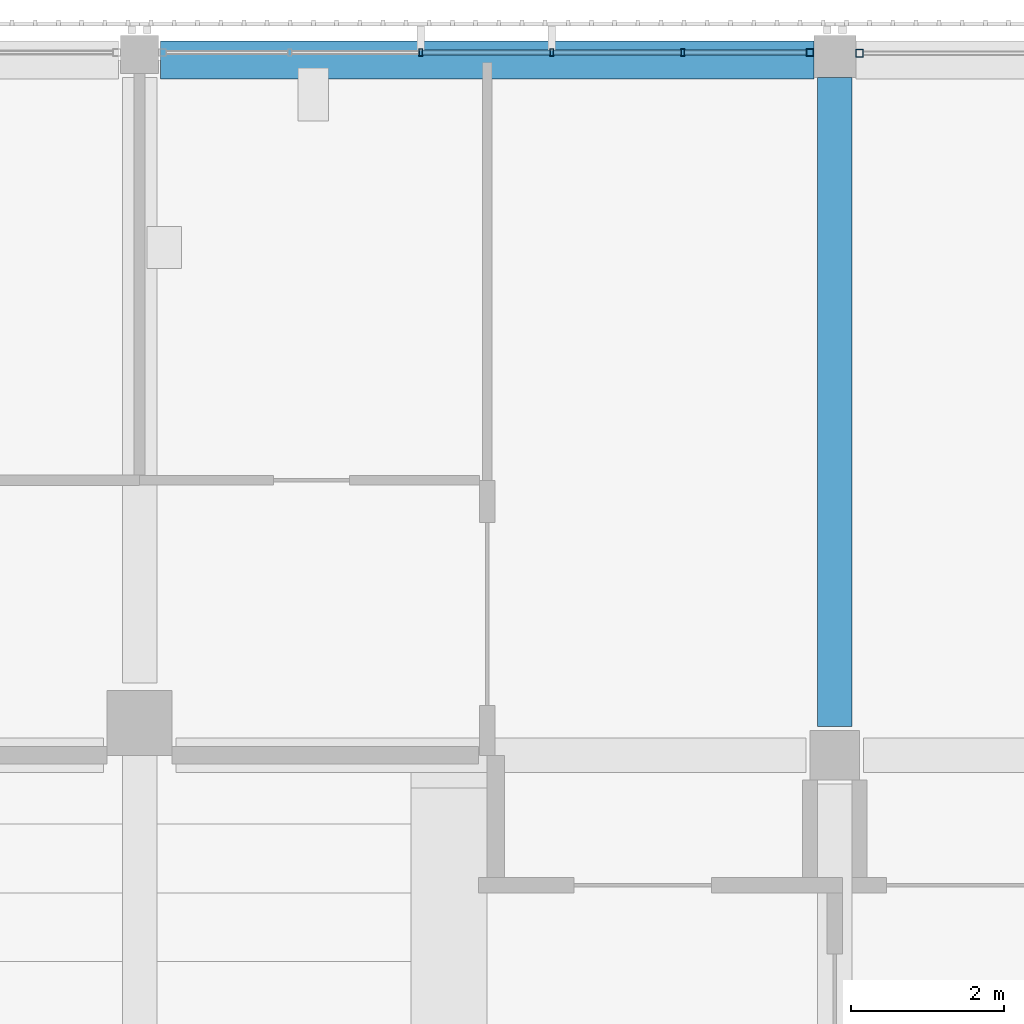
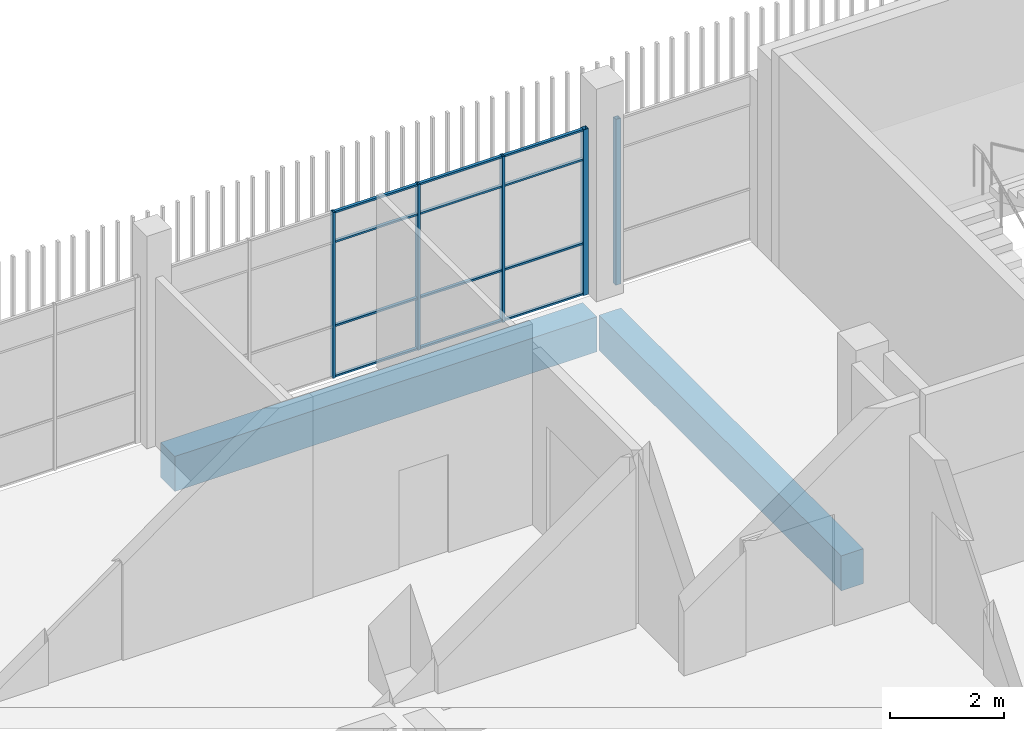
# One storey, part 51 of 139: 17 members, 2 beams, 2 elements without a shape of their own.
"""IFC4 building model written with IfcOpenShell, lengths in metres."""

import ifcopenshell
import ifcopenshell.guid

model = None  # the IFC model being written
_history = None  # IfcOwnerHistory: only IFC2X3 demands one
_inside = {}  # id of a spatial element -> (the spatial element, [elements in it])
_under = {}  # id of a project, library or spatial element -> (it, [spatial elements below it])
_declared = {}  # id of a project -> (the project, [libraries it declares])
_typed = {}  # id of a type object -> (the type object, [elements of that type])
_made_of = {}  # id of a material, layer set ... -> (it, [elements and type objects made of it])


def new_model(schema):
    """Start an empty IFC model of exactly this schema.

    Asked for "IFC4X3", IfcOpenShell would pick the latest addendum, in which some entities
    have other attributes; the version numbers below select the first issue.
    IFC2X3 requires an IfcOwnerHistory on every rooted entity: one is made here for all.
    """
    global model, _history
    if schema == "IFC4X3":
        model = ifcopenshell.file(schema_version=(4, 3, 0, 0))
    else:
        model = ifcopenshell.file(schema=schema)
    _inside.clear()
    _under.clear()
    _declared.clear()
    _typed.clear()
    _made_of.clear()
    _history = None
    if model.schema == "IFC2X3":
        org = make("IfcOrganization", Name="unknown")
        user = make(
            "IfcPersonAndOrganization",
            ThePerson=make("IfcPerson", FamilyName="unknown"),
            TheOrganization=org,
        )
        app = make(
            "IfcApplication",
            ApplicationDeveloper=org,
            Version="unknown",
            ApplicationFullName="unknown",
            ApplicationIdentifier="unknown",
        )
        _history = make(
            "IfcOwnerHistory",
            OwningUser=user,
            OwningApplication=app,
            ChangeAction="ADDED",
            CreationDate=0,
        )
    return model


def make(cls, **values):
    """One entity of the class cls with the attributes given. An attribute that is None is left unset."""
    return model.create_entity(
        cls, **{name: value for name, value in values.items() if value is not None}
    )


def rooted(cls, **values):
    """An entity with a GlobalId (a new one), such as an element, a storey or a relation."""
    return make(cls, GlobalId=ifcopenshell.guid.new(), OwnerHistory=_history, **values)


def si_unit(unit_type, name, prefix=None):
    """IfcSIUnit, for example si_unit("LENGTHUNIT", "METRE", prefix="MILLI")."""
    return make("IfcSIUnit", UnitType=unit_type, Prefix=prefix, Name=name)


def assignment(units):
    """IfcUnitAssignment: the units of a project."""
    return None if units is None else make("IfcUnitAssignment", Units=units)


def point(xyz):
    """IfcCartesianPoint."""
    return None if xyz is None else make("IfcCartesianPoint", Coordinates=xyz)


def direction(xyz):
    """IfcDirection."""
    return None if xyz is None else make("IfcDirection", DirectionRatios=xyz)


def frame(location, z_axis=None, x_axis=None):
    """IfcAxis2Placement3D, a coordinate frame: its origin and axes. An axis left out is left unset."""
    return make(
        "IfcAxis2Placement3D",
        Location=point(location),
        Axis=direction(z_axis),
        RefDirection=direction(x_axis),
    )


def frame_2d(location, x_axis=None):
    """IfcAxis2Placement2D, a coordinate frame in the plane: its origin and x axis."""
    return make(
        "IfcAxis2Placement2D", Location=point(location), RefDirection=direction(x_axis)
    )


def origin():
    """The frame at (0, 0, 0) with its axes left unset."""
    return frame((0.0, 0.0, 0.0))


def origin_2d():
    """The frame at (0, 0) in the plane with its x axis left unset."""
    return frame_2d((0.0, 0.0))


def place(relative_to, where):
    """IfcLocalPlacement: puts the frame where relative to a parent placement (None: the world)."""
    return make(
        "IfcLocalPlacement", PlacementRelTo=relative_to, RelativePlacement=where
    )


def context(
    kind, dimensions, precision=None, world=None, true_north=None, identifier=None
):
    """IfcGeometricRepresentationContext, for example the 3D "Model" context."""
    return make(
        "IfcGeometricRepresentationContext",
        ContextIdentifier=identifier,
        ContextType=kind,
        CoordinateSpaceDimension=dimensions,
        Precision=precision,
        WorldCoordinateSystem=world,
        TrueNorth=true_north,
    )


def subcontext(parent, identifier, kind, view, scale=None):
    """IfcGeometricRepresentationSubContext, for example "Body" below "Model"."""
    return make(
        "IfcGeometricRepresentationSubContext",
        ContextIdentifier=identifier,
        ContextType=kind,
        ParentContext=parent,
        TargetScale=scale,
        TargetView=view,
    )


def project(units=None, contexts=None):
    """IfcProject with its units and contexts."""
    return rooted(
        "IfcProject",
        Name="project",
        RepresentationContexts=contexts,
        UnitsInContext=assignment(units),
    )


def spatial(cls, under=None, at=None, **own):
    """A site, building, storey or space (cls), placed at a placement, below another one or the project."""
    s = rooted(cls, ObjectPlacement=at, **own)
    if under is not None:
        _under.setdefault(under.id(), (under, []))[1].append(s)
    return s


def profile(cls, at=None, kind="AREA", **sizes):
    """A parametric profile (cls). Its sizes go by their IFC names, for example OverallWidth=200.0."""
    return make(cls, ProfileType=kind, Position=at, **sizes)


def rectangle(**sizes):
    """IfcRectangleProfileDef."""
    return profile("IfcRectangleProfileDef", **sizes)


def hollow_rectangle(**sizes):
    """IfcRectangleHollowProfileDef."""
    return profile("IfcRectangleHollowProfileDef", **sizes)


def extrude(swept, where, along, depth):
    """IfcExtrudedAreaSolid: the profile swept, set in the frame where, extruded along a direction by depth."""
    return make(
        "IfcExtrudedAreaSolid",
        SweptArea=swept,
        Position=where,
        ExtrudedDirection=direction(along),
        Depth=depth,
    )


def shape(context_of_items, identifier, shape_type, items):
    """IfcShapeRepresentation: the items that make up one representation, for example the "Body"."""
    return make(
        "IfcShapeRepresentation",
        ContextOfItems=context_of_items,
        RepresentationIdentifier=identifier,
        RepresentationType=shape_type,
        Items=items,
    )


def material(Name=None, Category=None):
    """IfcMaterial."""
    return make("IfcMaterial", Name=Name, Category=Category)


def layer(
    of_material, thickness, ventilated=None, Name=None, Category=None, Priority=None
):
    """IfcMaterialLayer: one layer of a wall or slab, of a material (None: an air gap)."""
    return make(
        "IfcMaterialLayer",
        Material=of_material,
        LayerThickness=thickness,
        IsVentilated=ventilated,
        Name=Name,
        Category=Category,
        Priority=Priority,
    )


def layer_set(layers, Name=None):
    """IfcMaterialLayerSet."""
    return make("IfcMaterialLayerSet", MaterialLayers=layers, LayerSetName=Name)


def material_profile(
    of_material, cross_section, Name=None, Category=None, Priority=None
):
    """IfcMaterialProfile: a cross section and its material."""
    return make(
        "IfcMaterialProfile",
        Name=Name,
        Material=of_material,
        Profile=cross_section,
        Priority=Priority,
        Category=Category,
    )


def profile_set(profiles, Name=None, composite=None):
    """IfcMaterialProfileSet."""
    return make(
        "IfcMaterialProfileSet",
        Name=Name,
        MaterialProfiles=profiles,
        CompositeProfile=composite,
    )


def made_of(thing, what):
    """Note that an element or type object is made of a material, layer set ...; save() writes the relation."""
    if what is not None:
        _made_of.setdefault(what.id(), (what, []))[1].append(thing)
    return thing


def type_object(cls, material=None, **own):
    """A type object (cls), such as IfcWallType, which elements share."""
    return made_of(rooted(cls, **own), material)


def element(
    cls,
    number,
    at=None,
    inside=None,
    cuts=None,
    type_object=None,
    material=None,
    context=None,
    identifier="Body",
    shape_type=None,
    held_by="IfcProductDefinitionShape",
    body=None,
    shapes=None,
    **own,
):
    """One element of the class cls, such as IfcWall. Its Tag is "e" and its number.

    at: its placement. inside: the storey or other place that contains it. cuts: it is an
    opening in that element (IfcRelVoidsElement). A single representation is given by context,
    identifier, shape_type and body (its items); several are given by shapes. held_by: the class
    of the entity that holds the representations. save() writes the other relations.
    """
    e = rooted(cls, Tag="e%d" % number, ObjectPlacement=at, **own)
    if body is not None:
        shapes = [shape(context, identifier, shape_type, body)]
    if shapes is not None:
        e.Representation = make(held_by, Representations=shapes)
    if inside is not None:
        _inside.setdefault(inside.id(), (inside, []))[1].append(e)
    if cuts is not None:
        rooted(
            "IfcRelVoidsElement", RelatingBuildingElement=cuts, RelatedOpeningElement=e
        )
    if type_object is not None:
        _typed.setdefault(type_object.id(), (type_object, []))[1].append(e)
    return made_of(e, material)


def aggregate(whole, parts):
    """IfcRelAggregates: a whole, such as a stair, and the parts it consists of."""
    return rooted("IfcRelAggregates", RelatingObject=whole, RelatedObjects=parts)


def save(model, path):
    """Write the relations noted so far, then the file.

    IfcRelAggregates (storeys below a building ...), IfcRelContainedInSpatialStructure (elements
    in a storey), IfcRelDefinesByType, IfcRelAssociatesMaterial and IfcRelDeclares: one each for
    every whole, place, type object, material and project.
    """
    for whole, parts in _under.values():
        aggregate(whole, parts)
    for where, things in _inside.values():
        rooted(
            "IfcRelContainedInSpatialStructure",
            RelatedElements=things,
            RelatingStructure=where,
        )
    for kind, things in _typed.values():
        rooted("IfcRelDefinesByType", RelatedObjects=things, RelatingType=kind)
    for what, things in _made_of.values():
        rooted("IfcRelAssociatesMaterial", RelatedObjects=things, RelatingMaterial=what)
    for by, libraries in _declared.values():
        rooted("IfcRelDeclares", RelatingContext=by, RelatedDefinitions=libraries)
    model.write(path)


model = new_model("IFC4")

# Units and contexts
model_context = context("Model", 3, precision=1e-05, world=origin(), true_north=direction((0.0, 1.0)))
body_context = subcontext(model_context, "Body", "Model", "MODEL_VIEW")
ifc_project = project(units=[si_unit("LENGTHUNIT", "METRE"), si_unit("AREAUNIT", "SQUARE_METRE"), si_unit("VOLUMEUNIT", "CUBIC_METRE"), si_unit("PLANEANGLEUNIT", "RADIAN"), si_unit("MASSUNIT", "GRAM", prefix="KILO")], contexts=[model_context])

# Site, building, storey
site_placement = place(None, origin())
site = spatial("IfcSite", under=ifc_project, at=site_placement, CompositionType="ELEMENT")
building_placement = place(site_placement, origin())
building = spatial("IfcBuilding", under=site, at=building_placement, Name="Shirokan Park Arena", CompositionType="ELEMENT")
storey_placement = place(building_placement, frame((0.0, 0.0, 15.469970703125)))
storey = spatial("IfcBuildingStorey", under=building, at=storey_placement, Name="L03", CompositionType="ELEMENT", Elevation=15.469970703125)

# Curtain wall, member
ifc_material_1 = material(Name="Steel and glass curtain wall", Category="steel")
ifc_layer_1 = layer(ifc_material_1, 0.1201171875)
ifc_layer_set_1 = layer_set([ifc_layer_1], Name="Steel and glass curtain wall 120 mm")
curtain_wall_type_1 = type_object("IfcCurtainWallType", Name="Curtain wall corner block side bay 120", PredefinedType="NOTDEFINED", material=ifc_layer_set_1)
curtain_wall_1_placement = place(storey_placement, origin())
curtain_wall_1 = element("IfcCurtainWall", 1, at=curtain_wall_1_placement, inside=storey, type_object=curtain_wall_type_1, Name="Curtain wall north bay 4 L03", PredefinedType="NOTDEFINED")
ifc_material_2 = material(Name="Steel S355", Category="steel")
ifc_material_profile_1 = material_profile(ifc_material_2, hollow_rectangle(XDim=0.10009765625, YDim=0.10009765625, WallThickness=0.006103515625, at=origin_2d()), Name="RHS 100x100x6")
ifc_profile_set_1 = profile_set([ifc_material_profile_1], Name="Steel S355")
member_type_1 = type_object("IfcMemberType", Name="Mullion RHS 100x100x6", PredefinedType="MULLION", material=ifc_profile_set_1)
member_1_placement = place(storey_placement, frame((109.52490234375, 109.2900390625, 0.0), z_axis=(0.0, 0.0, 1.0), x_axis=(0.0, -1.0, 0.0)))
member_1 = element("IfcMember", 2, at=member_1_placement, type_object=member_type_1, Name="CW3 mullion 2", PredefinedType="MULLION", context=body_context, shape_type="SweptSolid", body=[
    extrude(hollow_rectangle(XDim=0.10009765625, YDim=0.10009765625, WallThickness=0.006103515625, at=origin_2d()), origin(), (0.0, 0.0, 1.0), 3.550048828125),
])
aggregate(curtain_wall_1, [member_1])

# Curtain wall, members
ifc_layer_2 = layer(ifc_material_1, 0.10009765625)
ifc_layer_set_2 = layer_set([ifc_layer_2], Name="Steel and glass curtain wall 100 mm")
curtain_wall_type_2 = type_object("IfcCurtainWallType", Name="Curtain wall sheltered bay 100", PredefinedType="NOTDEFINED", material=ifc_layer_set_2)
curtain_wall_2_placement = place(storey_placement, origin())
curtain_wall_2 = element("IfcCurtainWall", 3, at=curtain_wall_2_placement, inside=storey, type_object=curtain_wall_type_2, Name="Curtain wall north bay 5 L03", PredefinedType="NOTDEFINED")
member_2_placement = place(storey_placement, frame((108.875, 109.300048828125, 0.0), z_axis=(0.0, 0.0, 1.0), x_axis=(0.0, -1.0, 0.0)))
member_2 = element("IfcMember", 4, at=member_2_placement, type_object=member_type_1, Name="CW2 mullion 1", PredefinedType="MULLION", context=body_context, shape_type="SweptSolid", body=[
    extrude(hollow_rectangle(XDim=0.10009765625, YDim=0.10009765625, WallThickness=0.006103515625, at=origin_2d()), origin(), (0.0, 0.0, 1.0), 3.550048828125),
])
ifc_material_profile_2 = material_profile(ifc_material_2, hollow_rectangle(XDim=0.10009765625, YDim=0.050048828125, WallThickness=0.0048828125, at=origin_2d()), Name="RHS 100x50x5")
ifc_profile_set_2 = profile_set([ifc_material_profile_2], Name="Steel S355")
member_type_2 = type_object("IfcMemberType", Name="Mullion RHS 100x50x5", PredefinedType="MULLION", material=ifc_profile_set_2)
member_3_placement = place(storey_placement, frame((107.2099609375, 109.300048828125, 0.0), z_axis=(0.0, 0.0, 1.0), x_axis=(0.0, -1.0, 0.0)))
member_3 = element("IfcMember", 5, at=member_3_placement, type_object=member_type_2, Name="CW2 mullion 2", PredefinedType="MULLION", context=body_context, shape_type="SweptSolid", body=[
    extrude(hollow_rectangle(XDim=0.10009765625, YDim=0.050048828125, WallThickness=0.0048828125, at=origin_2d()), origin(), (0.0, 0.0, 1.0), 3.550048828125),
])
member_4_placement = place(storey_placement, frame((105.4951171875, 109.300048828125, 0.0), z_axis=(0.0, 0.0, 1.0), x_axis=(0.0, -1.0, 0.0)))
member_4 = element("IfcMember", 6, at=member_4_placement, type_object=member_type_2, Name="CW2 mullion 3", PredefinedType="MULLION", context=body_context, shape_type="SweptSolid", body=[
    extrude(hollow_rectangle(XDim=0.10009765625, YDim=0.050048828125, WallThickness=0.0048828125, at=origin_2d()), origin(), (0.0, 0.0, 1.0), 3.550048828125),
])
member_5_placement = place(storey_placement, frame((103.780029296875, 109.300048828125, 0.0), z_axis=(0.0, 0.0, 1.0), x_axis=(0.0, -1.0, 0.0)))
member_5 = element("IfcMember", 7, at=member_5_placement, type_object=member_type_2, Name="CW2 mullion 4", PredefinedType="MULLION", context=body_context, shape_type="SweptSolid", body=[
    extrude(hollow_rectangle(XDim=0.10009765625, YDim=0.050048828125, WallThickness=0.0048828125, at=origin_2d()), origin(), (0.0, 0.0, 1.0), 3.550048828125),
])

# Beams
ifc_material_3 = material(Name="Concrete C35", Category="concrete")
ifc_material_profile_3 = material_profile(ifc_material_3, rectangle(XDim=0.449951171875, YDim=0.75, at=origin_2d()), Name="450x750")
ifc_profile_set_3 = profile_set([ifc_material_profile_3], Name="Concrete C35")
beam_type_1 = type_object("IfcBeamType", Name="RC girder 450x750", PredefinedType="BEAM", material=ifc_profile_set_3)
beam_1_placement = place(storey_placement, frame((109.199951171875, 100.47509765625, -0.675048828125), z_axis=(0.0, 1.0, 0.0), x_axis=(-1.0, 0.0, 0.0)))
element("IfcBeam", 8, at=beam_1_placement, inside=storey, type_object=beam_type_1, Name="Girder 13M-13N L03", PredefinedType="BEAM", context=body_context, shape_type="SweptSolid", body=[
    extrude(rectangle(XDim=0.449951171875, YDim=0.75, at=origin_2d()), origin(), (0.0, 0.0, 1.0), 8.499755859375),
])
ifc_material_profile_4 = material_profile(ifc_material_3, rectangle(XDim=0.5, YDim=0.75, at=origin_2d()), Name="500x750")
ifc_profile_set_4 = profile_set([ifc_material_profile_4], Name="Concrete C35")
beam_type_2 = type_object("IfcBeamType", Name="RC girder 500x750", PredefinedType="BEAM", material=ifc_profile_set_4)
beam_2_placement = place(storey_placement, frame((100.375, 109.199951171875, -0.675048828125), z_axis=(1.0, 0.0, 0.0), x_axis=(0.0, 1.0, 0.0)))
element("IfcBeam", 9, at=beam_2_placement, inside=storey, type_object=beam_type_2, Name="Girder 12N-13N L03", PredefinedType="BEAM", context=body_context, shape_type="SweptSolid", body=[
    extrude(rectangle(XDim=0.5, YDim=0.75, at=origin_2d()), origin(), (0.0, 0.0, 1.0), 8.5498046875),
])

# Member
ifc_material_profile_5 = material_profile(ifc_material_2, hollow_rectangle(XDim=0.06005859375, YDim=0.0400390625, WallThickness=0.00390625, at=origin_2d()), Name="RHS 60x40x4")
ifc_profile_set_5 = profile_set([ifc_material_profile_5], Name="Steel S355")
member_type_3 = type_object("IfcMemberType", Name="Transom RHS 60x40x4", PredefinedType="MULLION", material=ifc_profile_set_5)
member_6_placement = place(storey_placement, frame((108.824951171875, 109.300048828125, 0.02001953125), z_axis=(-1.0, 0.0, 0.0), x_axis=(0.0, -1.0, 0.0)))
member_6 = element("IfcMember", 10, at=member_6_placement, type_object=member_type_3, Name="CW2 transom 1.1", PredefinedType="MULLION", context=body_context, shape_type="SweptSolid", body=[
    extrude(hollow_rectangle(XDim=0.06005859375, YDim=0.0400390625, WallThickness=0.00390625, at=origin_2d()), origin(), (0.0, 0.0, 1.0), 1.58984375),
])

member_7_placement = place(storey_placement, frame((108.824951171875, 109.300048828125, 1.10009765625), z_axis=(-1.0, 0.0, 0.0), x_axis=(0.0, -1.0, 0.0)))
member_7 = element("IfcMember", 11, at=member_7_placement, type_object=member_type_3, Name="CW2 transom 1.2", PredefinedType="MULLION", context=body_context, shape_type="SweptSolid", body=[
    extrude(hollow_rectangle(XDim=0.06005859375, YDim=0.0400390625, WallThickness=0.00390625, at=origin_2d()), origin(), (0.0, 0.0, 1.0), 1.58984375),
])

member_8_placement = place(storey_placement, frame((108.824951171875, 109.300048828125, 2.900146484375), z_axis=(-1.0, 0.0, 0.0), x_axis=(0.0, -1.0, 0.0)))
member_8 = element("IfcMember", 12, at=member_8_placement, type_object=member_type_3, Name="CW2 transom 1.3", PredefinedType="MULLION", context=body_context, shape_type="SweptSolid", body=[
    extrude(hollow_rectangle(XDim=0.06005859375, YDim=0.0400390625, WallThickness=0.00390625, at=origin_2d()), origin(), (0.0, 0.0, 1.0), 1.58984375),
])

member_9_placement = place(storey_placement, frame((108.824951171875, 109.300048828125, 3.530029296875), z_axis=(-1.0, 0.0, 0.0), x_axis=(0.0, -1.0, 0.0)))
member_9 = element("IfcMember", 13, at=member_9_placement, type_object=member_type_3, Name="CW2 transom 1.4", PredefinedType="MULLION", context=body_context, shape_type="SweptSolid", body=[
    extrude(hollow_rectangle(XDim=0.06005859375, YDim=0.0400390625, WallThickness=0.00390625, at=origin_2d()), origin(), (0.0, 0.0, 1.0), 1.58984375),
])

member_10_placement = place(storey_placement, frame((107.18505859375, 109.300048828125, 0.02001953125), z_axis=(-1.0, 0.0, 0.0), x_axis=(0.0, -1.0, 0.0)))
member_10 = element("IfcMember", 14, at=member_10_placement, type_object=member_type_3, Name="CW2 transom 2.1", PredefinedType="MULLION", context=body_context, shape_type="SweptSolid", body=[
    extrude(hollow_rectangle(XDim=0.06005859375, YDim=0.0400390625, WallThickness=0.00390625, at=origin_2d()), origin(), (0.0, 0.0, 1.0), 1.6650390625),
])

member_11_placement = place(storey_placement, frame((107.18505859375, 109.300048828125, 1.10009765625), z_axis=(-1.0, 0.0, 0.0), x_axis=(0.0, -1.0, 0.0)))
member_11 = element("IfcMember", 15, at=member_11_placement, type_object=member_type_3, Name="CW2 transom 2.2", PredefinedType="MULLION", context=body_context, shape_type="SweptSolid", body=[
    extrude(hollow_rectangle(XDim=0.06005859375, YDim=0.0400390625, WallThickness=0.00390625, at=origin_2d()), origin(), (0.0, 0.0, 1.0), 1.6650390625),
])

member_12_placement = place(storey_placement, frame((107.18505859375, 109.300048828125, 2.900146484375), z_axis=(-1.0, 0.0, 0.0), x_axis=(0.0, -1.0, 0.0)))
member_12 = element("IfcMember", 16, at=member_12_placement, type_object=member_type_3, Name="CW2 transom 2.3", PredefinedType="MULLION", context=body_context, shape_type="SweptSolid", body=[
    extrude(hollow_rectangle(XDim=0.06005859375, YDim=0.0400390625, WallThickness=0.00390625, at=origin_2d()), origin(), (0.0, 0.0, 1.0), 1.6650390625),
])

member_13_placement = place(storey_placement, frame((107.18505859375, 109.300048828125, 3.530029296875), z_axis=(-1.0, 0.0, 0.0), x_axis=(0.0, -1.0, 0.0)))
member_13 = element("IfcMember", 17, at=member_13_placement, type_object=member_type_3, Name="CW2 transom 2.4", PredefinedType="MULLION", context=body_context, shape_type="SweptSolid", body=[
    extrude(hollow_rectangle(XDim=0.06005859375, YDim=0.0400390625, WallThickness=0.00390625, at=origin_2d()), origin(), (0.0, 0.0, 1.0), 1.6650390625),
])

member_14_placement = place(storey_placement, frame((105.469970703125, 109.300048828125, 0.02001953125), z_axis=(-1.0, 0.0, 0.0), x_axis=(0.0, -1.0, 0.0)))
member_14 = element("IfcMember", 18, at=member_14_placement, type_object=member_type_3, Name="CW2 transom 3.1", PredefinedType="MULLION", context=body_context, shape_type="SweptSolid", body=[
    extrude(hollow_rectangle(XDim=0.06005859375, YDim=0.0400390625, WallThickness=0.00390625, at=origin_2d()), origin(), (0.0, 0.0, 1.0), 1.6650390625),
])

member_15_placement = place(storey_placement, frame((105.469970703125, 109.300048828125, 1.10009765625), z_axis=(-1.0, 0.0, 0.0), x_axis=(0.0, -1.0, 0.0)))
member_15 = element("IfcMember", 19, at=member_15_placement, type_object=member_type_3, Name="CW2 transom 3.2", PredefinedType="MULLION", context=body_context, shape_type="SweptSolid", body=[
    extrude(hollow_rectangle(XDim=0.06005859375, YDim=0.0400390625, WallThickness=0.00390625, at=origin_2d()), origin(), (0.0, 0.0, 1.0), 1.6650390625),
])

member_16_placement = place(storey_placement, frame((105.469970703125, 109.300048828125, 2.900146484375), z_axis=(-1.0, 0.0, 0.0), x_axis=(0.0, -1.0, 0.0)))
member_16 = element("IfcMember", 20, at=member_16_placement, type_object=member_type_3, Name="CW2 transom 3.3", PredefinedType="MULLION", context=body_context, shape_type="SweptSolid", body=[
    extrude(hollow_rectangle(XDim=0.06005859375, YDim=0.0400390625, WallThickness=0.00390625, at=origin_2d()), origin(), (0.0, 0.0, 1.0), 1.6650390625),
])

member_17_placement = place(storey_placement, frame((105.469970703125, 109.300048828125, 3.530029296875), z_axis=(-1.0, 0.0, 0.0), x_axis=(0.0, -1.0, 0.0)))
member_17 = element("IfcMember", 21, at=member_17_placement, type_object=member_type_3, Name="CW2 transom 3.4", PredefinedType="MULLION", context=body_context, shape_type="SweptSolid", body=[
    extrude(hollow_rectangle(XDim=0.06005859375, YDim=0.0400390625, WallThickness=0.00390625, at=origin_2d()), origin(), (0.0, 0.0, 1.0), 1.6650390625),
])

aggregate(curtain_wall_2, [member_2, member_3, member_4, member_5, member_6, member_7, member_8, member_9, member_10, member_11, member_12, member_13, member_14, member_15, member_16, member_17])

save(model, "model.ifc")
